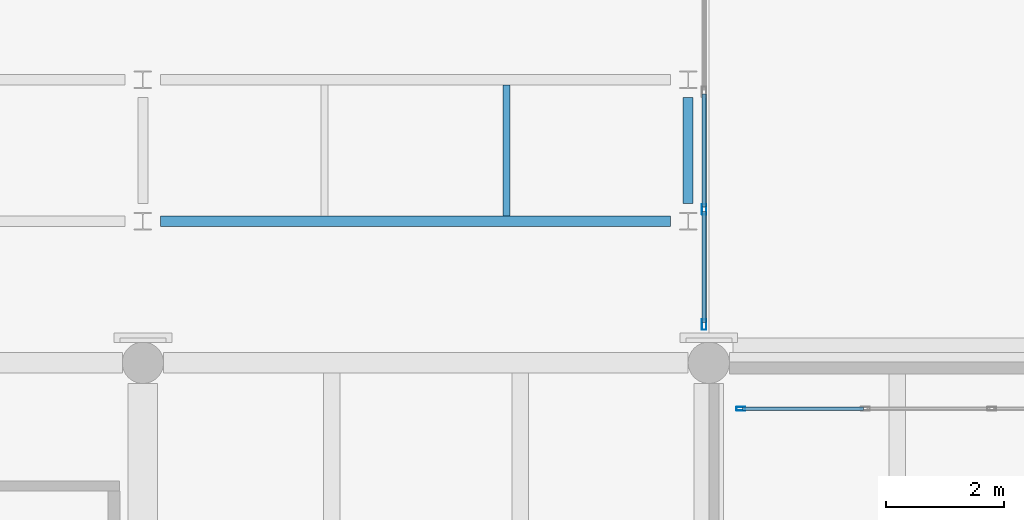
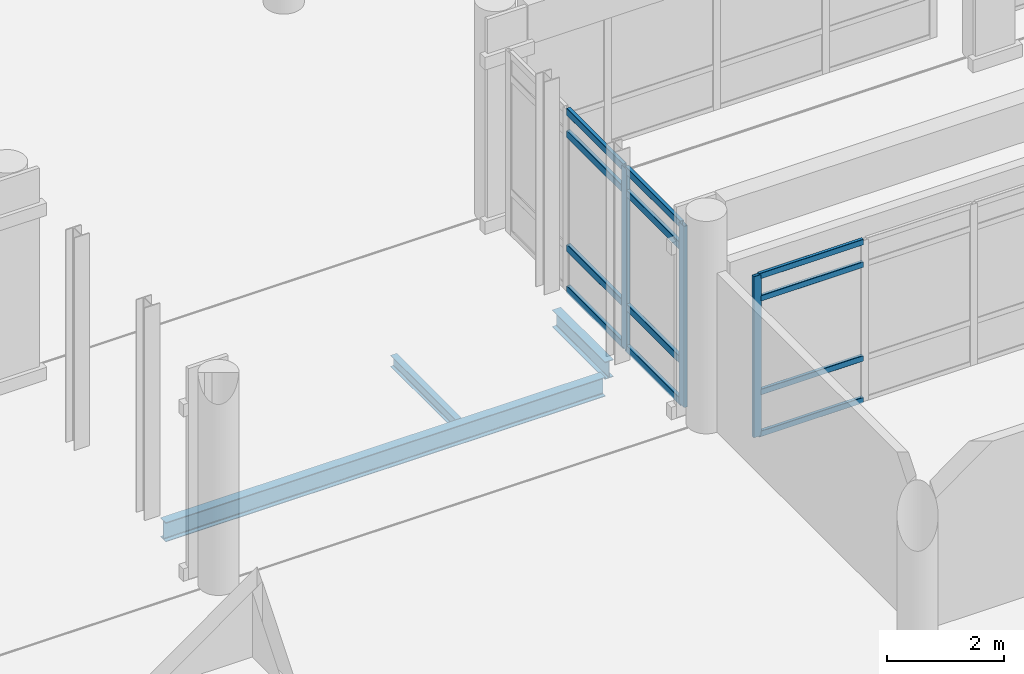
# One storey, part 32 of 196: 15 members, 3 beams, 2 elements without a shape of their own.
"""IFC4 building model written with IfcOpenShell, lengths in metres."""

from ifc_helpers import new_model, si_unit, direction, frame, origin, origin_2d, place, context, subcontext, project, spatial, hollow_rectangle, i_section, extrude, material, layer, layer_set, material_profile, profile_set, type_object, element, aggregate, save


model = new_model("IFC4")

# Units and contexts
model_context = context("Model", 3, precision=1e-05, world=origin(), true_north=direction((0.0, 1.0)))
body_context = subcontext(model_context, "Body", "Model", "MODEL_VIEW")
ifc_project = project(units=[si_unit("LENGTHUNIT", "METRE"), si_unit("AREAUNIT", "SQUARE_METRE"), si_unit("VOLUMEUNIT", "CUBIC_METRE"), si_unit("PLANEANGLEUNIT", "RADIAN"), si_unit("MASSUNIT", "GRAM", prefix="KILO")], contexts=[model_context])

# Site, building, storey
site_placement = place(None, origin())
site = spatial("IfcSite", under=ifc_project, at=site_placement, CompositionType="ELEMENT")
building_placement = place(site_placement, origin())
building = spatial("IfcBuilding", under=site, at=building_placement, Name="Asteropetra Specialist Clinic", CompositionType="ELEMENT")
storey_placement = place(building_placement, origin())
storey = spatial("IfcBuildingStorey", under=building, at=storey_placement, Name="L00", CompositionType="ELEMENT", Elevation=0.0)

# Beams
ifc_material_1 = material(Name="Steel S355", Category="steel")
ifc_material_profile_1 = material_profile(ifc_material_1, i_section(OverallWidth=0.169921875, OverallDepth=0.360107421875, WebThickness=0.008056640625, FlangeThickness=0.0126953125, FilletRadius=0.01806640625, at=origin_2d()), Name="IPE 360")
ifc_profile_set_1 = profile_set([ifc_material_profile_1], Name="Steel S355")
beam_type_1 = type_object("IfcBeamType", Name="BM-STL-IPE360", PredefinedType="BEAM", material=ifc_profile_set_1)
beam_1_placement = place(storey_placement, frame((28.449951171875, 29.10009765625, -0.419921875), z_axis=(0.0, 1.0, 0.0), x_axis=(-1.0, 0.0, 0.0)))
element("IfcBeam", 1, at=beam_1_placement, inside=storey, type_object=beam_type_1, Name="Beam BBMS4-0221", PredefinedType="BEAM", context=body_context, shape_type="SweptSolid", body=[
    extrude(i_section(OverallWidth=0.169921875, OverallDepth=0.360107421875, WebThickness=0.008056640625, FlangeThickness=0.0126953125, FilletRadius=0.01806640625, at=origin_2d()), origin(), (0.0, 0.0, 1.0), 1.7998046875),
])
ifc_material_2 = material(Name="Steel S355", Category="steel")
ifc_material_profile_2 = material_profile(ifc_material_2, i_section(OverallWidth=0.179931640625, OverallDepth=0.39990234375, WebThickness=0.008544921875, FlangeThickness=0.013427734375, FilletRadius=0.02099609375, at=origin_2d()), Name="IPE 400")
ifc_profile_set_2 = profile_set([ifc_material_profile_2], Name="Steel S355")
beam_type_2 = type_object("IfcBeamType", Name="BM-STL-IPE400", PredefinedType="BEAM", material=ifc_profile_set_2)
beam_2_placement = place(storey_placement, frame((19.5, 28.800048828125, -0.43994140625), z_axis=(1.0, 0.0, 0.0), x_axis=(0.0, 1.0, 0.0)))
element("IfcBeam", 2, at=beam_2_placement, inside=storey, type_object=beam_type_2, Name="Beam BBMS3-0216", PredefinedType="BEAM", context=body_context, shape_type="SweptSolid", body=[
    extrude(i_section(OverallWidth=0.179931640625, OverallDepth=0.39990234375, WebThickness=0.008544921875, FlangeThickness=0.013427734375, FilletRadius=0.02099609375, at=origin_2d()), origin(), (0.0, 0.0, 1.0), 8.64990234375),
])

# Curtain wall, member
ifc_material_3 = material(Name="Aluminium and low-E glass", Category="aluminium")
ifc_layer_1 = layer(ifc_material_3, 0.135009765625)
ifc_layer_set_1 = layer_set([ifc_layer_1], Name="Aluminium and low-E glass")
curtain_wall_type_1 = type_object("IfcCurtainWallType", Name="CW-SYS-09", PredefinedType="USERDEFINED", material=ifc_layer_set_1)
curtain_wall_1_placement = place(storey_placement, origin())
curtain_wall_1 = element("IfcCurtainWall", 3, at=curtain_wall_1_placement, inside=storey, type_object=curtain_wall_type_1, Name="Curtain Wall CW-124", ObjectType="STICK GLAZED COLONNADE", PredefinedType="USERDEFINED")
ifc_material_4 = material(Name="Aluminium 6063-T6", Category="aluminium")
ifc_material_profile_3 = material_profile(ifc_material_4, hollow_rectangle(XDim=0.06494140625, YDim=0.14990234375, WallThickness=0.00390625, InnerFilletRadius=0.00390625, OuterFilletRadius=0.008056640625, at=origin_2d()), Name="MUL 150x65x4.0")
ifc_profile_set_3 = profile_set([ifc_material_profile_3], Name="Aluminium 6063-T6")
member_type_1 = type_object("IfcMemberType", Name="CWM-150x65", PredefinedType="MULLION", material=ifc_profile_set_3)
member_1_placement = place(storey_placement, frame((29.342529296875, 25.6201171875, 0.0), z_axis=(0.0, 0.0, 1.0), x_axis=(0.0, -1.0, 0.0)))
member_1 = element("IfcMember", 4, at=member_1_placement, type_object=member_type_1, Name="CW-124 mullion 5", PredefinedType="MULLION", context=body_context, shape_type="SweptSolid", body=[
    extrude(hollow_rectangle(XDim=0.06494140625, YDim=0.14990234375, WallThickness=0.00390625, InnerFilletRadius=0.00390625, OuterFilletRadius=0.008056640625, at=origin_2d()), origin(), (0.0, 0.0, 1.0), 3.35009765625),
])

# Curtain wall, members
ifc_material_5 = material(Name="Aluminium and low-E glass", Category="aluminium")
ifc_layer_2 = layer(ifc_material_5, 0.14990234375)
ifc_layer_set_2 = layer_set([ifc_layer_2], Name="Aluminium and low-E glass")
curtain_wall_type_2 = type_object("IfcCurtainWallType", Name="CW-SYS-08", PredefinedType="USERDEFINED", material=ifc_layer_set_2)
curtain_wall_2_placement = place(storey_placement, origin())
curtain_wall_2 = element("IfcCurtainWall", 5, at=curtain_wall_2_placement, inside=storey, type_object=curtain_wall_type_2, Name="Curtain Wall CW-096", ObjectType="STICK GLAZED COLONNADE", PredefinedType="USERDEFINED")
ifc_material_6 = material(Name="Aluminium 6063-T6", Category="aluminium")
ifc_material_profile_4 = material_profile(ifc_material_6, hollow_rectangle(XDim=0.074951171875, YDim=0.179931640625, WallThickness=0.00390625, InnerFilletRadius=0.00390625, OuterFilletRadius=0.008056640625, at=origin_2d()), Name="MUL 180x75x4.0")
ifc_profile_set_4 = profile_set([ifc_material_profile_4], Name="Aluminium 6063-T6")
member_type_2 = type_object("IfcMemberType", Name="CWM-180x75", PredefinedType="MULLION", material=ifc_profile_set_4)
member_2_placement = place(storey_placement, frame((28.719970703125, 29.00341796875, 0.0), z_axis=(0.0, 0.0, 1.0), x_axis=(1.0, 0.0, 0.0)))
member_2 = element("IfcMember", 6, at=member_2_placement, type_object=member_type_2, Name="CW-096 mullion 3", PredefinedType="MULLION", context=body_context, shape_type="SweptSolid", body=[
    extrude(hollow_rectangle(XDim=0.074951171875, YDim=0.179931640625, WallThickness=0.00390625, InnerFilletRadius=0.00390625, OuterFilletRadius=0.008056640625, at=origin_2d()), origin(), (0.0, 0.0, 1.0), 3.77001953125),
])
member_3_placement = place(storey_placement, frame((28.719970703125, 27.047607421875, 0.0), z_axis=(0.0, 0.0, 1.0), x_axis=(1.0, 0.0, 0.0)))
member_3 = element("IfcMember", 7, at=member_3_placement, type_object=member_type_2, Name="CW-096 mullion 4", PredefinedType="MULLION", context=body_context, shape_type="SweptSolid", body=[
    extrude(hollow_rectangle(XDim=0.074951171875, YDim=0.179931640625, WallThickness=0.00390625, InnerFilletRadius=0.00390625, OuterFilletRadius=0.008056640625, at=origin_2d()), origin(), (0.0, 0.0, 1.0), 3.77001953125),
])

# Member
ifc_material_7 = material(Name="Aluminium 6063-T6", Category="aluminium")
ifc_material_profile_5 = material_profile(ifc_material_7, hollow_rectangle(XDim=0.06494140625, YDim=0.1201171875, WallThickness=0.00390625, InnerFilletRadius=0.00390625, OuterFilletRadius=0.008056640625, at=origin_2d()), Name="TRN 120x65x4.0")
ifc_profile_set_5 = profile_set([ifc_material_profile_5], Name="Aluminium 6063-T6")
member_type_3 = type_object("IfcMemberType", Name="CWT-120x65", PredefinedType="USERDEFINED", material=ifc_profile_set_5)
member_4_placement = place(storey_placement, frame((31.422607421875, 25.6201171875, 0.032470703125), z_axis=(-1.0, 0.0, 0.0), x_axis=(0.0, -1.0, 0.0)))
member_4 = element("IfcMember", 8, at=member_4_placement, type_object=member_type_3, Name="CW-124 transom 4.1", ObjectType="TRANSOM", PredefinedType="USERDEFINED", context=body_context, shape_type="SweptSolid", body=[
    extrude(hollow_rectangle(XDim=0.06494140625, YDim=0.1201171875, WallThickness=0.00390625, InnerFilletRadius=0.00390625, OuterFilletRadius=0.008056640625, at=origin_2d()), origin(), (0.0, 0.0, 1.0), 2.047607421875),
])

member_5_placement = place(storey_placement, frame((31.422607421875, 25.6201171875, 0.89990234375), z_axis=(-1.0, 0.0, 0.0), x_axis=(0.0, -1.0, 0.0)))
member_5 = element("IfcMember", 9, at=member_5_placement, type_object=member_type_3, Name="CW-124 transom 4.2", ObjectType="TRANSOM", PredefinedType="USERDEFINED", context=body_context, shape_type="SweptSolid", body=[
    extrude(hollow_rectangle(XDim=0.06494140625, YDim=0.1201171875, WallThickness=0.00390625, InnerFilletRadius=0.00390625, OuterFilletRadius=0.008056640625, at=origin_2d()), origin(), (0.0, 0.0, 1.0), 2.047607421875),
])

member_6_placement = place(storey_placement, frame((31.422607421875, 25.6201171875, 2.85009765625), z_axis=(-1.0, 0.0, 0.0), x_axis=(0.0, -1.0, 0.0)))
member_6 = element("IfcMember", 10, at=member_6_placement, type_object=member_type_3, Name="CW-124 transom 4.3", ObjectType="TRANSOM", PredefinedType="USERDEFINED", context=body_context, shape_type="SweptSolid", body=[
    extrude(hollow_rectangle(XDim=0.06494140625, YDim=0.1201171875, WallThickness=0.00390625, InnerFilletRadius=0.00390625, OuterFilletRadius=0.008056640625, at=origin_2d()), origin(), (0.0, 0.0, 1.0), 2.047607421875),
])

member_7_placement = place(storey_placement, frame((31.422607421875, 25.6201171875, 3.3173828125), z_axis=(-1.0, 0.0, 0.0), x_axis=(0.0, -1.0, 0.0)))
member_7 = element("IfcMember", 11, at=member_7_placement, type_object=member_type_3, Name="CW-124 transom 4.4", ObjectType="TRANSOM", PredefinedType="USERDEFINED", context=body_context, shape_type="SweptSolid", body=[
    extrude(hollow_rectangle(XDim=0.06494140625, YDim=0.1201171875, WallThickness=0.00390625, InnerFilletRadius=0.00390625, OuterFilletRadius=0.008056640625, at=origin_2d()), origin(), (0.0, 0.0, 1.0), 2.047607421875),
])

aggregate(curtain_wall_1, [member_1, member_4, member_5, member_6, member_7])

ifc_material_8 = material(Name="Aluminium 6063-T6", Category="aluminium")
ifc_material_profile_6 = material_profile(ifc_material_8, hollow_rectangle(XDim=0.074951171875, YDim=0.14990234375, WallThickness=0.00390625, InnerFilletRadius=0.00390625, OuterFilletRadius=0.008056640625, at=origin_2d()), Name="TRN 150x75x4.0")
ifc_profile_set_6 = profile_set([ifc_material_profile_6], Name="Aluminium 6063-T6")
member_type_4 = type_object("IfcMemberType", Name="CWT-150x75", PredefinedType="USERDEFINED", material=ifc_profile_set_6)
member_8_placement = place(storey_placement, frame((28.719970703125, 30.959228515625, 0.03759765625), z_axis=(0.0, -1.0, 0.0), x_axis=(1.0, 0.0, 0.0)))
member_8 = element("IfcMember", 12, at=member_8_placement, type_object=member_type_4, Name="CW-096 transom 2.1", ObjectType="TRANSOM", PredefinedType="USERDEFINED", context=body_context, shape_type="SweptSolid", body=[
    extrude(hollow_rectangle(XDim=0.074951171875, YDim=0.14990234375, WallThickness=0.00390625, InnerFilletRadius=0.00390625, OuterFilletRadius=0.008056640625, at=origin_2d()), origin(), (0.0, 0.0, 1.0), 1.91845703125),
])

member_9_placement = place(storey_placement, frame((28.719970703125, 30.959228515625, 0.89990234375), z_axis=(0.0, -1.0, 0.0), x_axis=(1.0, 0.0, 0.0)))
member_9 = element("IfcMember", 13, at=member_9_placement, type_object=member_type_4, Name="CW-096 transom 2.2", ObjectType="TRANSOM", PredefinedType="USERDEFINED", context=body_context, shape_type="SweptSolid", body=[
    extrude(hollow_rectangle(XDim=0.074951171875, YDim=0.14990234375, WallThickness=0.00390625, InnerFilletRadius=0.00390625, OuterFilletRadius=0.008056640625, at=origin_2d()), origin(), (0.0, 0.0, 1.0), 1.91845703125),
])

member_10_placement = place(storey_placement, frame((28.719970703125, 30.959228515625, 3.27001953125), z_axis=(0.0, -1.0, 0.0), x_axis=(1.0, 0.0, 0.0)))
member_10 = element("IfcMember", 14, at=member_10_placement, type_object=member_type_4, Name="CW-096 transom 2.3", ObjectType="TRANSOM", PredefinedType="USERDEFINED", context=body_context, shape_type="SweptSolid", body=[
    extrude(hollow_rectangle(XDim=0.074951171875, YDim=0.14990234375, WallThickness=0.00390625, InnerFilletRadius=0.00390625, OuterFilletRadius=0.008056640625, at=origin_2d()), origin(), (0.0, 0.0, 1.0), 1.91845703125),
])

member_11_placement = place(storey_placement, frame((28.719970703125, 30.959228515625, 3.732421875), z_axis=(0.0, -1.0, 0.0), x_axis=(1.0, 0.0, 0.0)))
member_11 = element("IfcMember", 15, at=member_11_placement, type_object=member_type_4, Name="CW-096 transom 2.4", ObjectType="TRANSOM", PredefinedType="USERDEFINED", context=body_context, shape_type="SweptSolid", body=[
    extrude(hollow_rectangle(XDim=0.074951171875, YDim=0.14990234375, WallThickness=0.00390625, InnerFilletRadius=0.00390625, OuterFilletRadius=0.008056640625, at=origin_2d()), origin(), (0.0, 0.0, 1.0), 1.91845703125),
])

member_12_placement = place(storey_placement, frame((28.719970703125, 28.9658203125, 0.03759765625), z_axis=(0.0, -1.0, 0.0), x_axis=(1.0, 0.0, 0.0)))
member_12 = element("IfcMember", 16, at=member_12_placement, type_object=member_type_4, Name="CW-096 transom 3.1", ObjectType="TRANSOM", PredefinedType="USERDEFINED", context=body_context, shape_type="SweptSolid", body=[
    extrude(hollow_rectangle(XDim=0.074951171875, YDim=0.14990234375, WallThickness=0.00390625, InnerFilletRadius=0.00390625, OuterFilletRadius=0.008056640625, at=origin_2d()), origin(), (0.0, 0.0, 1.0), 1.880859375),
])

member_13_placement = place(storey_placement, frame((28.719970703125, 28.9658203125, 0.89990234375), z_axis=(0.0, -1.0, 0.0), x_axis=(1.0, 0.0, 0.0)))
member_13 = element("IfcMember", 17, at=member_13_placement, type_object=member_type_4, Name="CW-096 transom 3.2", ObjectType="TRANSOM", PredefinedType="USERDEFINED", context=body_context, shape_type="SweptSolid", body=[
    extrude(hollow_rectangle(XDim=0.074951171875, YDim=0.14990234375, WallThickness=0.00390625, InnerFilletRadius=0.00390625, OuterFilletRadius=0.008056640625, at=origin_2d()), origin(), (0.0, 0.0, 1.0), 1.880859375),
])

member_14_placement = place(storey_placement, frame((28.719970703125, 28.9658203125, 3.27001953125), z_axis=(0.0, -1.0, 0.0), x_axis=(1.0, 0.0, 0.0)))
member_14 = element("IfcMember", 18, at=member_14_placement, type_object=member_type_4, Name="CW-096 transom 3.3", ObjectType="TRANSOM", PredefinedType="USERDEFINED", context=body_context, shape_type="SweptSolid", body=[
    extrude(hollow_rectangle(XDim=0.074951171875, YDim=0.14990234375, WallThickness=0.00390625, InnerFilletRadius=0.00390625, OuterFilletRadius=0.008056640625, at=origin_2d()), origin(), (0.0, 0.0, 1.0), 1.880859375),
])

member_15_placement = place(storey_placement, frame((28.719970703125, 28.9658203125, 3.732421875), z_axis=(0.0, -1.0, 0.0), x_axis=(1.0, 0.0, 0.0)))
member_15 = element("IfcMember", 19, at=member_15_placement, type_object=member_type_4, Name="CW-096 transom 3.4", ObjectType="TRANSOM", PredefinedType="USERDEFINED", context=body_context, shape_type="SweptSolid", body=[
    extrude(hollow_rectangle(XDim=0.074951171875, YDim=0.14990234375, WallThickness=0.00390625, InnerFilletRadius=0.00390625, OuterFilletRadius=0.008056640625, at=origin_2d()), origin(), (0.0, 0.0, 1.0), 1.880859375),
])

aggregate(curtain_wall_2, [member_2, member_3, member_8, member_9, member_10, member_11, member_12, member_13, member_14, member_15])

# Beam
ifc_material_9 = material(Name="Steel S355", Category="steel")
ifc_material_profile_7 = material_profile(ifc_material_9, i_section(OverallWidth=0.1201171875, OverallDepth=0.239990234375, WebThickness=0.006103515625, FlangeThickness=0.009765625, FilletRadius=0.014892578125, at=origin_2d()), Name="IPE 240")
ifc_profile_set_7 = profile_set([ifc_material_profile_7], Name="Steel S355")
beam_type_3 = type_object("IfcBeamType", Name="JST-STL-IPE240", PredefinedType="JOIST", material=ifc_profile_set_7)
beam_3_placement = place(storey_placement, frame((25.36669921875, 28.889892578125, -0.360107421875), z_axis=(0.0, 1.0, 0.0), x_axis=(-1.0, 0.0, 0.0)))
element("IfcBeam", 20, at=beam_3_placement, inside=storey, type_object=beam_type_3, Name="Joist JJSTS1-0225", PredefinedType="JOIST", context=body_context, shape_type="SweptSolid", body=[
    extrude(i_section(OverallWidth=0.1201171875, OverallDepth=0.239990234375, WebThickness=0.006103515625, FlangeThickness=0.009765625, FilletRadius=0.014892578125, at=origin_2d()), origin(), (0.0, 0.0, 1.0), 2.22021484375),
])

save(model, "model.ifc")
